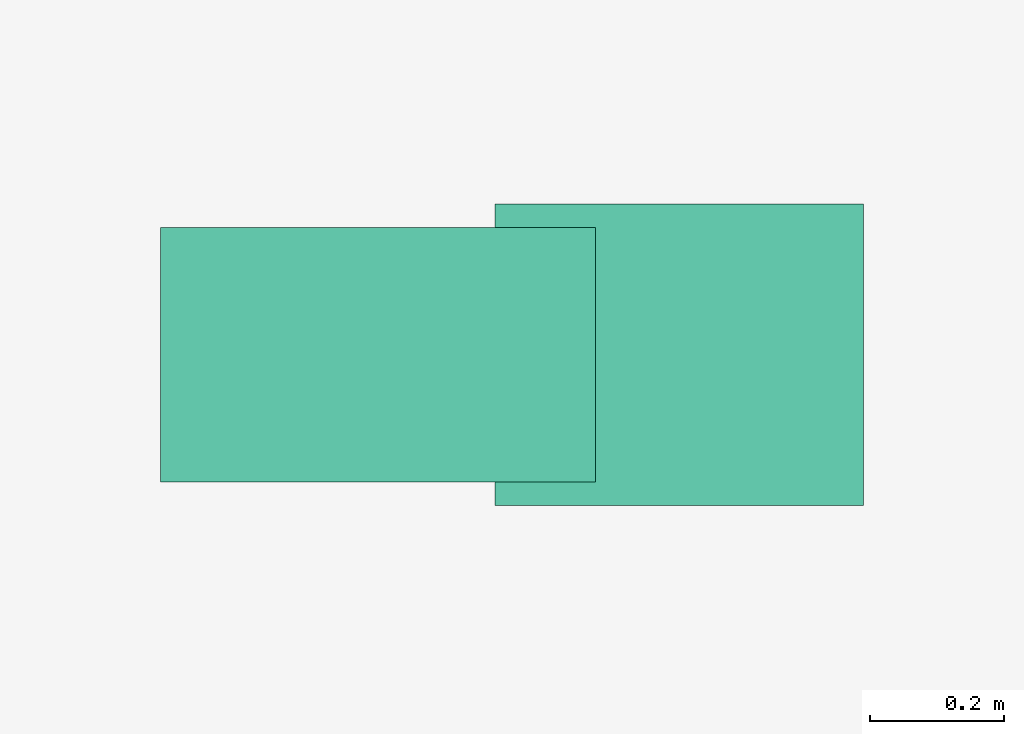
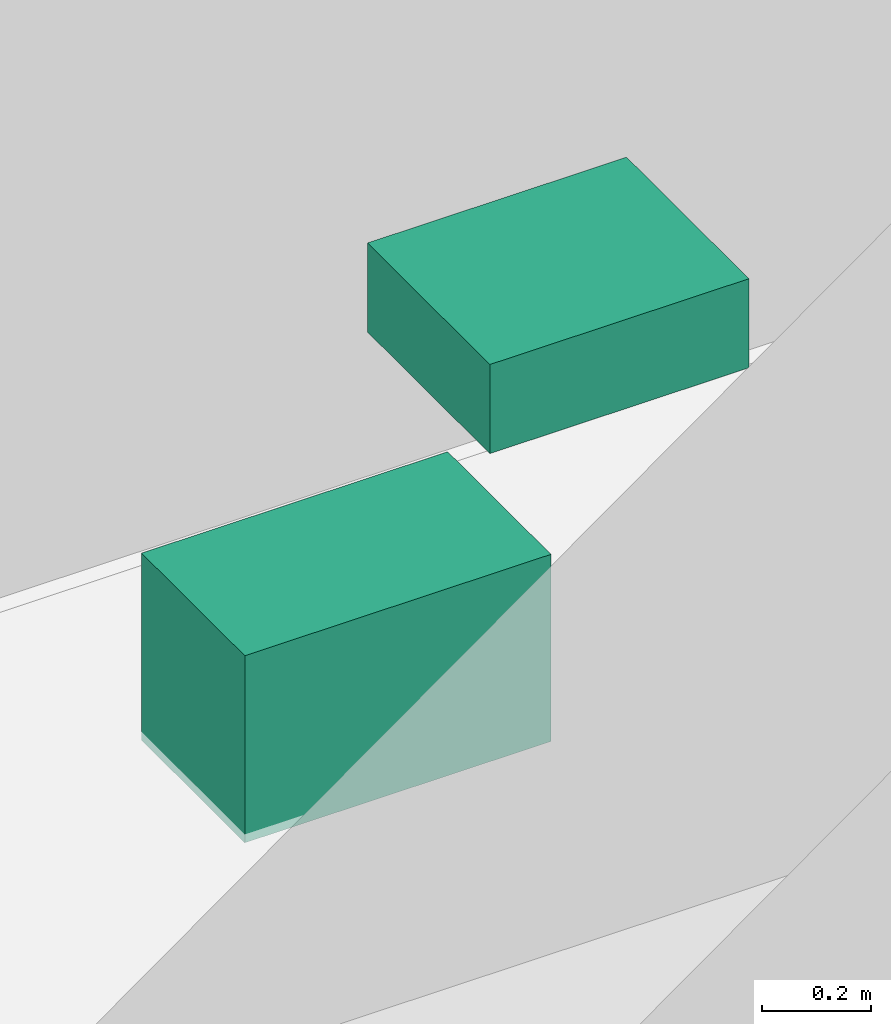
# One storey, part 10 of 10: 2 sanitary terminals.
"""IFC4 building model written with IfcOpenShell, lengths in metres."""

from ifc_helpers import new_model, si_unit, direction, frame, origin, origin_2d, place, context, subcontext, project, spatial, rectangle, extrude, material, type_object, element, save


model = new_model("IFC4")

# Units and contexts
model_context = context("Model", 3, precision=1e-05, world=origin(), true_north=direction((0.0, 1.0)))
body_context = subcontext(model_context, "Body", "Model", "MODEL_VIEW")
ifc_project = project(units=[si_unit("LENGTHUNIT", "METRE"), si_unit("AREAUNIT", "SQUARE_METRE"), si_unit("VOLUMEUNIT", "CUBIC_METRE"), si_unit("PLANEANGLEUNIT", "RADIAN"), si_unit("MASSUNIT", "GRAM", prefix="KILO")], contexts=[model_context])

# Site, building, storey
site_placement = place(None, origin())
site = spatial("IfcSite", under=ifc_project, at=site_placement, CompositionType="ELEMENT")
building_placement = place(site_placement, origin())
building = spatial("IfcBuilding", under=site, at=building_placement, Name="Savorim Split Tower", CompositionType="ELEMENT")
storey_placement = place(building_placement, frame((0.0, 0.0, 315.60009765625)))
storey = spatial("IfcBuildingStorey", under=building, at=storey_placement, Name="Crown L84 Plant", CompositionType="ELEMENT", Elevation=315.60009765625)

# Sanitary terminals
ifc_material = material(Name="Vitreous China Sanitaryware")
sanitary_terminal_type_1 = type_object("IfcSanitaryTerminalType", Name="SAN-WC-PAN", PredefinedType="TOILETPAN", material=ifc_material)
sanitary_terminal_1_placement = place(storey_placement, frame((5.800048828125, -8.3701171875, 0.0), z_axis=(0.0, 0.0, 1.0), x_axis=(1.0, 0.0, 0.0)))
element("IfcSanitaryTerminal", 1, at=sanitary_terminal_1_placement, inside=storey, type_object=sanitary_terminal_type_1, Name="Crown L84 Plant Accessible WC WC Pan", PredefinedType="TOILETPAN", context=body_context, shape_type="SweptSolid", body=[
    extrude(rectangle(XDim=0.64990234375, YDim=0.3798828125, at=origin_2d()), origin(), (0.0, 0.0, 1.0), 0.419921875),
])
sanitary_terminal_type_2 = type_object("IfcSanitaryTerminalType", Name="SAN-WHB-550", PredefinedType="WASHHANDBASIN", material=ifc_material)
sanitary_terminal_2_placement = place(storey_placement, frame((6.25, -8.3701171875, 0.7197265625), z_axis=(0.0, 0.0, 1.0), x_axis=(1.0, 0.0, 0.0)))
element("IfcSanitaryTerminal", 2, at=sanitary_terminal_2_placement, inside=storey, type_object=sanitary_terminal_type_2, Name="Crown L84 Plant Accessible WC Washhand Basin", PredefinedType="WASHHANDBASIN", context=body_context, shape_type="SweptSolid", body=[
    extrude(rectangle(XDim=0.550048828125, YDim=0.449951171875, at=origin_2d()), origin(), (0.0, 0.0, 1.0), 0.199951171875),
])

save(model, "model.ifc")
